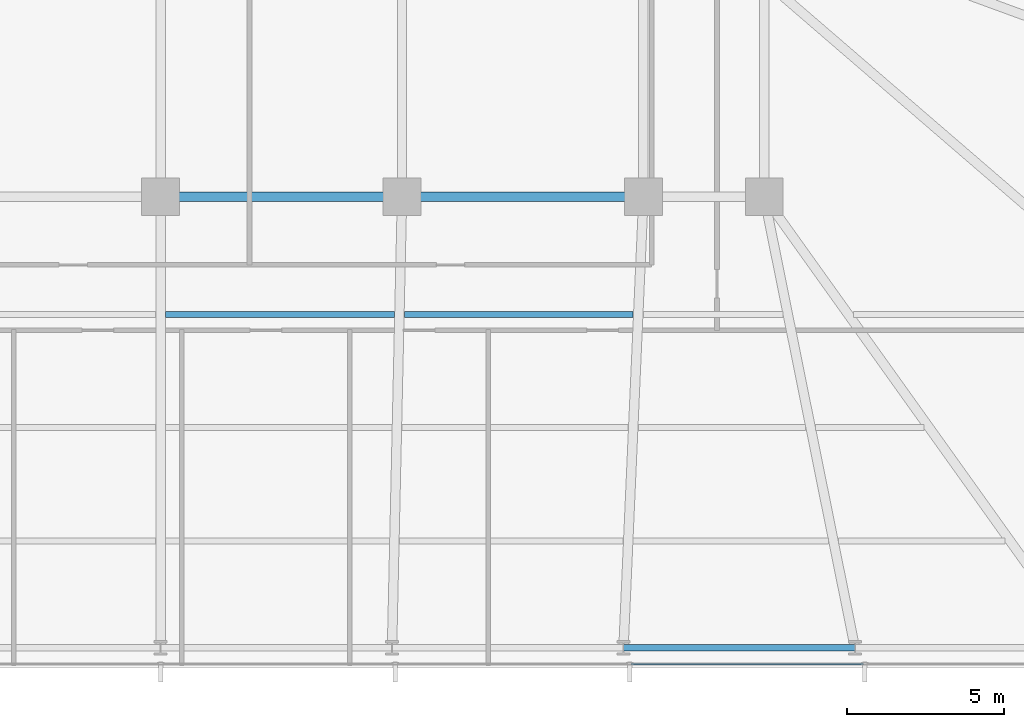
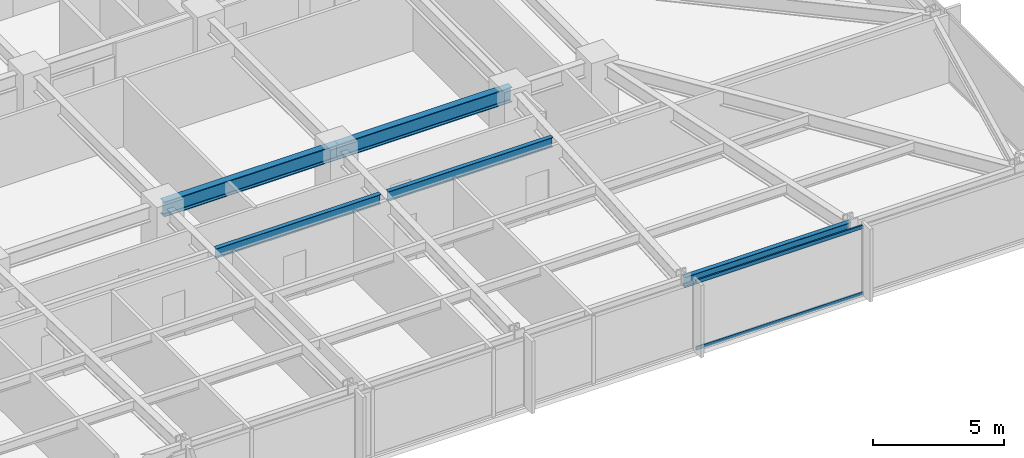
# One storey, part 13 of 33: 5 beams, 2 members, 1 element without a shape of its own.
"""IFC4 building model written with IfcOpenShell, lengths in metres."""

from ifc_helpers import new_model, si_unit, direction, frame, origin, origin_2d, place, context, subcontext, project, spatial, hollow_rectangle, i_section, extrude, material, material_profile, profile_set, type_object, element, aggregate, save


model = new_model("IFC4")

# Units and contexts
model_context = context("Model", 3, precision=1e-05, world=origin(), true_north=direction((0.0, 1.0)))
body_context = subcontext(model_context, "Body", "Model", "MODEL_VIEW")
ifc_project = project(units=[si_unit("LENGTHUNIT", "METRE"), si_unit("AREAUNIT", "SQUARE_METRE"), si_unit("VOLUMEUNIT", "CUBIC_METRE"), si_unit("PLANEANGLEUNIT", "RADIAN"), si_unit("MASSUNIT", "GRAM", prefix="KILO")], contexts=[model_context])

# Site, building, storey
site_placement = place(None, origin())
site = spatial("IfcSite", under=ifc_project, at=site_placement, CompositionType="ELEMENT")
building_placement = place(site_placement, origin())
building = spatial("IfcBuilding", under=site, at=building_placement, Name="Yelkora Congress Tower", CompositionType="ELEMENT")
storey_placement = place(building_placement, frame((0.0, 0.0, 37.199951171875)))
storey = spatial("IfcBuildingStorey", under=building, at=storey_placement, Name="L08", CompositionType="ELEMENT", Elevation=37.199951171875)

# Beams
ifc_material_1 = material(Name="Steel S355J2", Category="steel")
ifc_material_profile_1 = material_profile(ifc_material_1, i_section(OverallWidth=0.300048828125, OverallDepth=0.699951171875, WebThickness=0.01708984375, FlangeThickness=0.031982421875, FilletRadius=0.027099609375, at=origin_2d()), Name="HEB 700")
ifc_profile_set_1 = profile_set([ifc_material_profile_1], Name="Steel S355J2")
beam_type_1 = type_object("IfcBeamType", Name="BM-GIRD-HEB700", PredefinedType="BEAM", material=ifc_profile_set_1)
beam_1_placement = place(storey_placement, frame((38.39990234375, 25.199951171875, 2.830078125), z_axis=(1.0, 0.0, 0.0), x_axis=(0.0, 1.0, 0.0)))
element("IfcBeam", 1, at=beam_1_placement, inside=storey, type_object=beam_type_1, Name="L08 Spine Grid D Girder 4", PredefinedType="BEAM", context=body_context, shape_type="SweptSolid", body=[
    extrude(i_section(OverallWidth=0.300048828125, OverallDepth=0.699951171875, WebThickness=0.01708984375, FlangeThickness=0.031982421875, FilletRadius=0.027099609375, at=origin_2d()), origin(), (0.0, 0.0, 1.0), 7.68017578125),
])
beam_2_placement = place(storey_placement, frame((46.080078125, 25.199951171875, 2.830078125), z_axis=(1.0, 0.0, 0.0), x_axis=(0.0, 1.0, 0.0)))
element("IfcBeam", 2, at=beam_2_placement, inside=storey, type_object=beam_type_1, Name="L08 Spine Grid D Girder 5", PredefinedType="BEAM", context=body_context, shape_type="SweptSolid", body=[
    extrude(i_section(OverallWidth=0.300048828125, OverallDepth=0.699951171875, WebThickness=0.01708984375, FlangeThickness=0.031982421875, FilletRadius=0.027099609375, at=origin_2d()), origin(), (0.0, 0.0, 1.0), 7.679931640625),
])
ifc_material_profile_2 = material_profile(ifc_material_1, i_section(OverallWidth=0.18994140625, OverallDepth=0.449951171875, WebThickness=0.009521484375, FlangeThickness=0.0146484375, FilletRadius=0.02099609375, at=origin_2d()), Name="IPE 450")
ifc_profile_set_2 = profile_set([ifc_material_profile_2], Name="Steel S355J2")
beam_type_2 = type_object("IfcBeamType", Name="BM-JOIST-IPE450", PredefinedType="JOIST", material=ifc_profile_set_2)
beam_3_placement = place(storey_placement, frame((38.56005859375, 21.449951171875, 2.955078125), z_axis=(1.0, 0.0, 0.0), x_axis=(0.0, 1.0, 0.0)))
element("IfcBeam", 3, at=beam_3_placement, inside=storey, type_object=beam_type_2, Name="L08 Composite Floor Joist 20", PredefinedType="JOIST", context=body_context, shape_type="SweptSolid", body=[
    extrude(i_section(OverallWidth=0.18994140625, OverallDepth=0.449951171875, WebThickness=0.009521484375, FlangeThickness=0.0146484375, FilletRadius=0.02099609375, at=origin_2d()), origin(), (0.0, 0.0, 1.0), 7.27685546875),
])
beam_4_placement = place(storey_placement, frame((46.156982421875, 21.449951171875, 2.955078125), z_axis=(1.0, 0.0, 0.0), x_axis=(0.0, 1.0, 0.0)))
element("IfcBeam", 4, at=beam_4_placement, inside=storey, type_object=beam_type_2, Name="L08 Composite Floor Joist 21", PredefinedType="JOIST", context=body_context, shape_type="SweptSolid", body=[
    extrude(i_section(OverallWidth=0.18994140625, OverallDepth=0.449951171875, WebThickness=0.009521484375, FlangeThickness=0.0146484375, FilletRadius=0.02099609375, at=origin_2d()), origin(), (0.0, 0.0, 1.0), 7.277099609375),
])
ifc_material_profile_3 = material_profile(ifc_material_1, i_section(OverallWidth=0.199951171875, OverallDepth=0.5, WebThickness=0.01025390625, FlangeThickness=0.01611328125, FilletRadius=0.02099609375, at=origin_2d()), Name="IPE 500")
ifc_profile_set_3 = profile_set([ifc_material_profile_3], Name="Steel S355J2")
beam_type_3 = type_object("IfcBeamType", Name="BM-SPAN-IPE500", PredefinedType="SPANDREL", material=ifc_profile_set_3)
beam_5_placement = place(storey_placement, frame((53.125, 10.85009765625, 2.929931640625), z_axis=(1.0, 0.0, 0.0), x_axis=(0.0, 1.0, 0.0)))
element("IfcBeam", 5, at=beam_5_placement, inside=storey, type_object=beam_type_3, Name="L08 Perimeter Beam 8", PredefinedType="SPANDREL", context=body_context, shape_type="SweptSolid", body=[
    extrude(i_section(OverallWidth=0.199951171875, OverallDepth=0.5, WebThickness=0.01025390625, FlangeThickness=0.01611328125, FilletRadius=0.02099609375, at=origin_2d()), origin(), (0.0, 0.0, 1.0), 7.362548828125),
])

# Curtain wall, members
ifc_material_2 = material(Name="Anodised aluminium and insulated glass", Category="aluminium")
curtain_wall_type = type_object("IfcCurtainWallType", Name="CW-SYS-B1", PredefinedType="NOTDEFINED", material=ifc_material_2)
curtain_wall_placement = place(storey_placement, origin())
curtain_wall = element("IfcCurtainWall", 6, at=curtain_wall_placement, inside=storey, type_object=curtain_wall_type, Name="L08 Unitised Curtain Wall 20", PredefinedType="NOTDEFINED")
ifc_material_3 = material(Name="Anodised aluminium 6063-T6", Category="aluminium")
ifc_material_profile_4 = material_profile(ifc_material_3, hollow_rectangle(XDim=0.06494140625, YDim=0.159912109375, WallThickness=0.00390625, at=origin_2d()), Name="ALU 65x160x4")
ifc_profile_set_4 = profile_set([ifc_material_profile_4], Name="Anodised aluminium 6063-T6")
member_type = type_object("IfcMemberType", Name="MEM-TR-B1", PredefinedType="USERDEFINED", material=ifc_profile_set_4)
member_1_placement = place(storey_placement, frame((60.757568359375, 10.340087890625, 0.032470703125), z_axis=(-1.0, 0.0, 0.0), x_axis=(0.0, -1.0, 0.0)))
member_1 = element("IfcMember", 7, at=member_1_placement, type_object=member_type, Name="CW-B1 transom 2.1", ObjectType="TRANSOM", PredefinedType="USERDEFINED", context=body_context, shape_type="SweptSolid", body=[
    extrude(hollow_rectangle(XDim=0.06494140625, YDim=0.159912109375, WallThickness=0.00390625, at=origin_2d()), origin(), (0.0, 0.0, 1.0), 7.39013671875),
])
member_2_placement = place(storey_placement, frame((60.757568359375, 10.340087890625, 3.1474609375), z_axis=(-1.0, 0.0, 0.0), x_axis=(0.0, -1.0, 0.0)))
member_2 = element("IfcMember", 8, at=member_2_placement, type_object=member_type, Name="CW-B1 transom 2.2", ObjectType="TRANSOM", PredefinedType="USERDEFINED", context=body_context, shape_type="SweptSolid", body=[
    extrude(hollow_rectangle(XDim=0.06494140625, YDim=0.159912109375, WallThickness=0.00390625, at=origin_2d()), origin(), (0.0, 0.0, 1.0), 7.39013671875),
])
aggregate(curtain_wall, [member_1, member_2])

save(model, "model.ifc")
